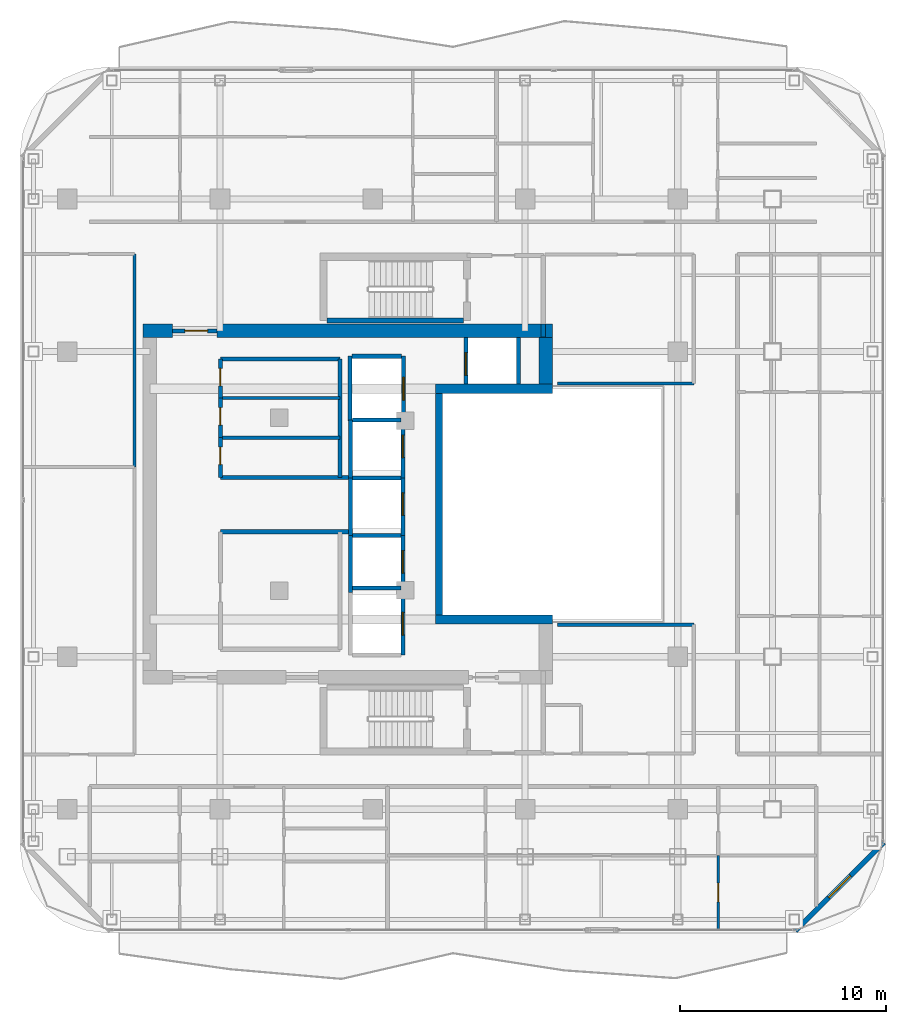
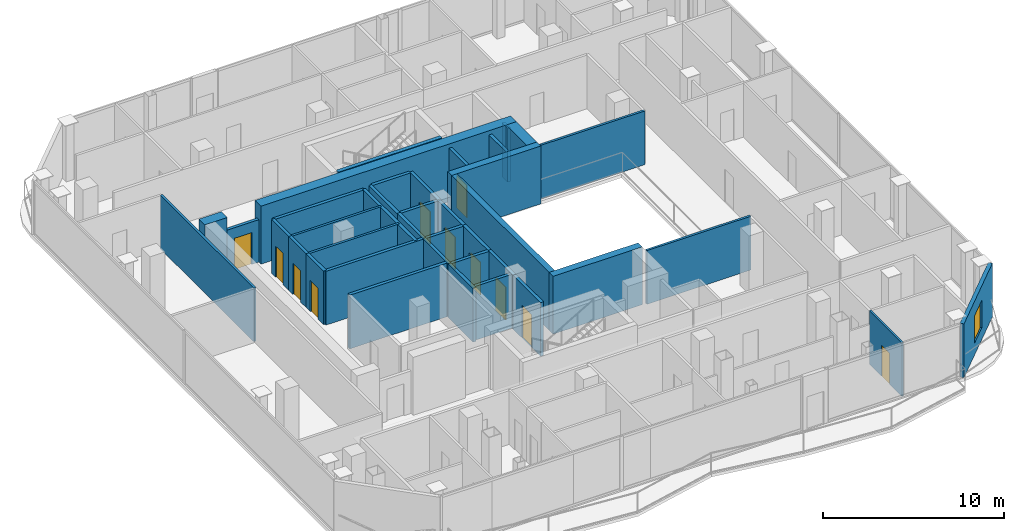
# One storey, part 17 of 22: 39 walls, 11 doors, 1 window, 12 openings.
"""IFC4 building model written with IfcOpenShell, lengths in metres."""

import ifcopenshell
import ifcopenshell.guid

model = None  # the IFC model being written
_history = None  # IfcOwnerHistory: only IFC2X3 demands one
_inside = {}  # id of a spatial element -> (the spatial element, [elements in it])
_under = {}  # id of a project, library or spatial element -> (it, [spatial elements below it])
_declared = {}  # id of a project -> (the project, [libraries it declares])
_typed = {}  # id of a type object -> (the type object, [elements of that type])
_made_of = {}  # id of a material, layer set ... -> (it, [elements and type objects made of it])


def new_model(schema):
    """Start an empty IFC model of exactly this schema.

    Asked for "IFC4X3", IfcOpenShell would pick the latest addendum, in which some entities
    have other attributes; the version numbers below select the first issue.
    IFC2X3 requires an IfcOwnerHistory on every rooted entity: one is made here for all.
    """
    global model, _history
    if schema == "IFC4X3":
        model = ifcopenshell.file(schema_version=(4, 3, 0, 0))
    else:
        model = ifcopenshell.file(schema=schema)
    _inside.clear()
    _under.clear()
    _declared.clear()
    _typed.clear()
    _made_of.clear()
    _history = None
    if model.schema == "IFC2X3":
        org = make("IfcOrganization", Name="unknown")
        user = make(
            "IfcPersonAndOrganization",
            ThePerson=make("IfcPerson", FamilyName="unknown"),
            TheOrganization=org,
        )
        app = make(
            "IfcApplication",
            ApplicationDeveloper=org,
            Version="unknown",
            ApplicationFullName="unknown",
            ApplicationIdentifier="unknown",
        )
        _history = make(
            "IfcOwnerHistory",
            OwningUser=user,
            OwningApplication=app,
            ChangeAction="ADDED",
            CreationDate=0,
        )
    return model


def make(cls, **values):
    """One entity of the class cls with the attributes given. An attribute that is None is left unset."""
    return model.create_entity(
        cls, **{name: value for name, value in values.items() if value is not None}
    )


def rooted(cls, **values):
    """An entity with a GlobalId (a new one), such as an element, a storey or a relation."""
    return make(cls, GlobalId=ifcopenshell.guid.new(), OwnerHistory=_history, **values)


def si_unit(unit_type, name, prefix=None):
    """IfcSIUnit, for example si_unit("LENGTHUNIT", "METRE", prefix="MILLI")."""
    return make("IfcSIUnit", UnitType=unit_type, Prefix=prefix, Name=name)


def assignment(units):
    """IfcUnitAssignment: the units of a project."""
    return None if units is None else make("IfcUnitAssignment", Units=units)


def point(xyz):
    """IfcCartesianPoint."""
    return None if xyz is None else make("IfcCartesianPoint", Coordinates=xyz)


def direction(xyz):
    """IfcDirection."""
    return None if xyz is None else make("IfcDirection", DirectionRatios=xyz)


def frame(location, z_axis=None, x_axis=None):
    """IfcAxis2Placement3D, a coordinate frame: its origin and axes. An axis left out is left unset."""
    return make(
        "IfcAxis2Placement3D",
        Location=point(location),
        Axis=direction(z_axis),
        RefDirection=direction(x_axis),
    )


def frame_2d(location, x_axis=None):
    """IfcAxis2Placement2D, a coordinate frame in the plane: its origin and x axis."""
    return make(
        "IfcAxis2Placement2D", Location=point(location), RefDirection=direction(x_axis)
    )


def origin():
    """The frame at (0, 0, 0) with its axes left unset."""
    return frame((0.0, 0.0, 0.0))


def place(relative_to, where):
    """IfcLocalPlacement: puts the frame where relative to a parent placement (None: the world)."""
    return make(
        "IfcLocalPlacement", PlacementRelTo=relative_to, RelativePlacement=where
    )


def context(
    kind, dimensions, precision=None, world=None, true_north=None, identifier=None
):
    """IfcGeometricRepresentationContext, for example the 3D "Model" context."""
    return make(
        "IfcGeometricRepresentationContext",
        ContextIdentifier=identifier,
        ContextType=kind,
        CoordinateSpaceDimension=dimensions,
        Precision=precision,
        WorldCoordinateSystem=world,
        TrueNorth=true_north,
    )


def subcontext(parent, identifier, kind, view, scale=None):
    """IfcGeometricRepresentationSubContext, for example "Body" below "Model"."""
    return make(
        "IfcGeometricRepresentationSubContext",
        ContextIdentifier=identifier,
        ContextType=kind,
        ParentContext=parent,
        TargetScale=scale,
        TargetView=view,
    )


def project(units=None, contexts=None):
    """IfcProject with its units and contexts."""
    return rooted(
        "IfcProject",
        Name="project",
        RepresentationContexts=contexts,
        UnitsInContext=assignment(units),
    )


def spatial(cls, under=None, at=None, **own):
    """A site, building, storey or space (cls), placed at a placement, below another one or the project."""
    s = rooted(cls, ObjectPlacement=at, **own)
    if under is not None:
        _under.setdefault(under.id(), (under, []))[1].append(s)
    return s


def profile(cls, at=None, kind="AREA", **sizes):
    """A parametric profile (cls). Its sizes go by their IFC names, for example OverallWidth=200.0."""
    return make(cls, ProfileType=kind, Position=at, **sizes)


def rectangle(**sizes):
    """IfcRectangleProfileDef."""
    return profile("IfcRectangleProfileDef", **sizes)


def extrude(swept, where, along, depth):
    """IfcExtrudedAreaSolid: the profile swept, set in the frame where, extruded along a direction by depth."""
    return make(
        "IfcExtrudedAreaSolid",
        SweptArea=swept,
        Position=where,
        ExtrudedDirection=direction(along),
        Depth=depth,
    )


def shape(context_of_items, identifier, shape_type, items):
    """IfcShapeRepresentation: the items that make up one representation, for example the "Body"."""
    return make(
        "IfcShapeRepresentation",
        ContextOfItems=context_of_items,
        RepresentationIdentifier=identifier,
        RepresentationType=shape_type,
        Items=items,
    )


def material(Name=None, Category=None):
    """IfcMaterial."""
    return make("IfcMaterial", Name=Name, Category=Category)


def layer(
    of_material, thickness, ventilated=None, Name=None, Category=None, Priority=None
):
    """IfcMaterialLayer: one layer of a wall or slab, of a material (None: an air gap)."""
    return make(
        "IfcMaterialLayer",
        Material=of_material,
        LayerThickness=thickness,
        IsVentilated=ventilated,
        Name=Name,
        Category=Category,
        Priority=Priority,
    )


def layer_set(layers, Name=None):
    """IfcMaterialLayerSet."""
    return make("IfcMaterialLayerSet", MaterialLayers=layers, LayerSetName=Name)


def made_of(thing, what):
    """Note that an element or type object is made of a material, layer set ...; save() writes the relation."""
    if what is not None:
        _made_of.setdefault(what.id(), (what, []))[1].append(thing)
    return thing


def type_object(cls, material=None, **own):
    """A type object (cls), such as IfcWallType, which elements share."""
    return made_of(rooted(cls, **own), material)


def element(
    cls,
    number,
    at=None,
    inside=None,
    cuts=None,
    type_object=None,
    material=None,
    context=None,
    identifier="Body",
    shape_type=None,
    held_by="IfcProductDefinitionShape",
    body=None,
    shapes=None,
    **own,
):
    """One element of the class cls, such as IfcWall. Its Tag is "e" and its number.

    at: its placement. inside: the storey or other place that contains it. cuts: it is an
    opening in that element (IfcRelVoidsElement). A single representation is given by context,
    identifier, shape_type and body (its items); several are given by shapes. held_by: the class
    of the entity that holds the representations. save() writes the other relations.
    """
    e = rooted(cls, Tag="e%d" % number, ObjectPlacement=at, **own)
    if body is not None:
        shapes = [shape(context, identifier, shape_type, body)]
    if shapes is not None:
        e.Representation = make(held_by, Representations=shapes)
    if inside is not None:
        _inside.setdefault(inside.id(), (inside, []))[1].append(e)
    if cuts is not None:
        rooted(
            "IfcRelVoidsElement", RelatingBuildingElement=cuts, RelatedOpeningElement=e
        )
    if type_object is not None:
        _typed.setdefault(type_object.id(), (type_object, []))[1].append(e)
    return made_of(e, material)


def fill(opening, filler):
    """IfcRelFillsElement: the door or window that sits in an opening."""
    return rooted(
        "IfcRelFillsElement",
        RelatingOpeningElement=opening,
        RelatedBuildingElement=filler,
    )


def aggregate(whole, parts):
    """IfcRelAggregates: a whole, such as a stair, and the parts it consists of."""
    return rooted("IfcRelAggregates", RelatingObject=whole, RelatedObjects=parts)


def save(model, path):
    """Write the relations noted so far, then the file.

    IfcRelAggregates (storeys below a building ...), IfcRelContainedInSpatialStructure (elements
    in a storey), IfcRelDefinesByType, IfcRelAssociatesMaterial and IfcRelDeclares: one each for
    every whole, place, type object, material and project.
    """
    for whole, parts in _under.values():
        aggregate(whole, parts)
    for where, things in _inside.values():
        rooted(
            "IfcRelContainedInSpatialStructure",
            RelatedElements=things,
            RelatingStructure=where,
        )
    for kind, things in _typed.values():
        rooted("IfcRelDefinesByType", RelatedObjects=things, RelatingType=kind)
    for what, things in _made_of.values():
        rooted("IfcRelAssociatesMaterial", RelatedObjects=things, RelatingMaterial=what)
    for by, libraries in _declared.values():
        rooted("IfcRelDeclares", RelatingContext=by, RelatedDefinitions=libraries)
    model.write(path)


model = new_model("IFC4")

# Units and contexts
model_context = context("Model", 3, precision=1e-05, world=origin(), true_north=direction((0.0, 1.0)))
body_context = subcontext(model_context, "Body", "Model", "MODEL_VIEW")
ifc_project = project(units=[si_unit("LENGTHUNIT", "METRE"), si_unit("AREAUNIT", "SQUARE_METRE"), si_unit("VOLUMEUNIT", "CUBIC_METRE"), si_unit("PLANEANGLEUNIT", "RADIAN"), si_unit("MASSUNIT", "GRAM", prefix="KILO")], contexts=[model_context])

# Site, building, storey
site_placement = place(None, origin())
site = spatial("IfcSite", under=ifc_project, at=site_placement, CompositionType="ELEMENT")
building_placement = place(site_placement, origin())
building = spatial("IfcBuilding", under=site, at=building_placement, Name="Khorvyn Point Tower", CompositionType="ELEMENT")
storey_placement = place(building_placement, frame((0.0, 0.0, 282.0)))
storey = spatial("IfcBuildingStorey", under=building, at=storey_placement, Name="L69", CompositionType="ELEMENT", Elevation=282.0)

# Wall, opening, window
ifc_material_1 = material(Name="Pale anodised aluminium rainscreen on steel stud", Category="steel")
ifc_layer_1 = layer(ifc_material_1, 0.239990234375)
ifc_layer_set_1 = layer_set([ifc_layer_1], Name="Anodised Aluminium Insulated Corner Spandrel Wall 240")
wall_type_1 = type_object("IfcWallType", Name="Anodised Aluminium Insulated Corner Spandrel Wall 240", PredefinedType="SOLIDWALL", material=ifc_layer_set_1)
wall_1_placement = place(storey_placement, frame((24.79248046875, -16.40771484375, 0.0), z_axis=(0.0, 0.0, 1.0), x_axis=(-0.707126925818, -0.707086635981, 0.0)))
wall_1 = element("IfcWall", 1, at=wall_1_placement, inside=storey, type_object=wall_type_1, Name="L69 Rounded Corner Wall SE", PredefinedType="SOLIDWALL", context=body_context, shape_type="SweptSolid", body=[
    extrude(rectangle(XDim=6.0595703125, YDim=0.239990234375, at=frame_2d((3.02978515625, 0.0))), origin(), (0.0, 0.0, 1.0), 3.6201171875),
])
opening_1_placement = place(wall_1_placement, frame((2.27978515625, 0.0, 0.800048828125)))
opening_1 = element("IfcOpeningElement", 2, at=opening_1_placement, cuts=wall_1, Name="Opening WN-1518", PredefinedType="OPENING", context=body_context, shape_type="SweptSolid", body=[
    extrude(rectangle(XDim=1.5, YDim=1.85009765625, at=frame_2d((0.75, 0.925048828125))), frame((0.0, 0.1298828125, 0.0), z_axis=(0.0, -1.0, 0.0), x_axis=(1.0, 0.0, 0.0)), (0.0, 0.0, 1.0), 0.260009765625),
])
ifc_material_2 = material(Name="Anodised aluminium 6063-T6 and laminated Low-E glass", Category="aluminium")
window_type = type_object("IfcWindowType", Name="Anodised Aluminium Rounded-Corner Panoramic Window 1500x1850", PartitioningType="SINGLE_PANEL", PredefinedType="WINDOW", material=ifc_material_2)
window_placement = place(opening_1_placement, origin())
window = element("IfcWindow", 3, at=window_placement, inside=storey, type_object=window_type, Name="L69 Corner Panoramic Window SE", OverallHeight=1.85009765625, OverallWidth=1.5, PartitioningType="SINGLE_PANEL", PredefinedType="WINDOW", context=body_context, shape_type="SweptSolid", body=[
    extrude(rectangle(XDim=1.5, YDim=1.85009765625, at=frame_2d((0.75, 0.925048828125))), frame((0.0, 0.030029296875, 0.0), z_axis=(0.0, -1.0, 0.0), x_axis=(1.0, 0.0, 0.0)), (0.0, 0.0, 1.0), 0.06005859375),
])
fill(opening_1, window)

# Walls
ifc_material_3 = material(Name="Concrete C40/50", Category="concrete")
ifc_layer_2 = layer(ifc_material_3, 0.449951171875)
ifc_layer_set_2 = layer_set([ifc_layer_2], Name="Concrete C40/50 Core Shear Wall 450")
wall_type_2 = type_object("IfcWallType", Name="Concrete C40/50 Core Shear Wall 450", PredefinedType="SHEAR", material=ifc_layer_set_2)
for number, where, z_axis, x_axis, name in (
    (4, (3.044921875, -5.60009765625, 0.0), (0.0, 0.0, 1.0), (1.0, 0.0, 0.0), "Wall"),
    (5, (3.044921875, 5.60009765625, 0.0), (0.0, 0.0, 1.0), (1.0, 0.0, 0.0), "Wall"),
):
    element("IfcWall", number, at=place(storey_placement, frame(where, z_axis=z_axis, x_axis=x_axis)), inside=storey, type_object=wall_type_2, Name=name, PredefinedType="SHEAR", context=body_context, shape_type="SweptSolid", body=[
        extrude(rectangle(XDim=5.68017578125, YDim=0.449951171875, at=frame_2d((2.840087890625, 0.0))), origin(), (0.0, 0.0, 1.0), 3.89990234375),
    ])
ifc_layer_3 = layer(ifc_material_3, 0.64990234375)
ifc_layer_set_3 = layer_set([ifc_layer_3], Name="Concrete C40/50 Core Shear Wall 650")
wall_type_3 = type_object("IfcWallType", Name="Concrete C40/50 Core Shear Wall 650", PredefinedType="SHEAR", material=ifc_layer_set_3)
wall_2_placement = place(storey_placement, frame((-11.125, 8.39990234375, 0.0), z_axis=(0.0, 0.0, 1.0), x_axis=(1.0, 0.0, 0.0)))
element("IfcWall", 6, at=wall_2_placement, inside=storey, type_object=wall_type_3, Name="Wall", PredefinedType="SHEAR", context=body_context, shape_type="SweptSolid", body=[
    extrude(rectangle(XDim=1.425048828125, YDim=0.64990234375, at=frame_2d((0.71240234375, 0.0))), origin(), (0.0, 0.0, 1.0), 3.89990234375),
])
wall_3_placement = place(storey_placement, frame((-7.550048828125, 8.39990234375, 0.0), z_axis=(0.0, 0.0, 1.0), x_axis=(1.0, 0.0, 0.0)))
element("IfcWall", 7, at=wall_3_placement, inside=storey, type_object=wall_type_3, Name="Wall", PredefinedType="SHEAR", context=body_context, shape_type="SweptSolid", body=[
    extrude(rectangle(XDim=16.275146484375, YDim=0.64990234375, at=frame_2d((8.1376953125, 0.0))), origin(), (0.0, 0.0, 1.0), 3.89990234375),
])
wall_4_placement = place(storey_placement, frame((8.39990234375, 5.824951171875, 0.0), z_axis=(0.0, 0.0, 1.0), x_axis=(0.0, 1.0, 0.0)))
element("IfcWall", 8, at=wall_4_placement, inside=storey, type_object=wall_type_3, Name="Wall", PredefinedType="SHEAR", context=body_context, shape_type="SweptSolid", body=[
    extrude(rectangle(XDim=2.25, YDim=0.64990234375, at=frame_2d((1.125, 0.0))), origin(), (0.0, 0.0, 1.0), 3.89990234375),
])

# Wall, opening, door
ifc_layer_4 = layer(ifc_material_3, 0.199951171875)
ifc_layer_set_4 = layer_set([ifc_layer_4], Name="Concrete C40/50 Fire-Lobby Compartment Wall 200")
wall_type_4 = type_object("IfcWallType", Name="Concrete C40/50 Fire-Lobby Compartment Wall 200", PredefinedType="SOLIDWALL", material=ifc_layer_set_4)
wall_5_placement = place(storey_placement, frame((-9.699951171875, 8.39990234375, 0.0), z_axis=(0.0, 0.0, 1.0), x_axis=(1.0, 0.0, 0.0)))
wall_5 = element("IfcWall", 9, at=wall_5_placement, inside=storey, type_object=wall_type_4, Name="Wall", PredefinedType="SOLIDWALL", context=body_context, shape_type="SweptSolid", body=[
    extrude(rectangle(XDim=2.14990234375, YDim=0.199951171875, at=frame_2d((1.074951171875, 0.0))), origin(), (0.0, 0.0, 1.0), 2.860107421875),
])
opening_2_placement = place(wall_5_placement, frame((0.597900390625, 0.0, 0.0)))
opening_2 = element("IfcOpeningElement", 10, at=opening_2_placement, cuts=wall_5, Name="Opening ID-FL90", PredefinedType="OPENING", context=body_context, shape_type="SweptSolid", body=[
    extrude(rectangle(XDim=1.10009765625, YDim=2.14990234375, at=frame_2d((0.550048828125, 1.074951171875))), frame((0.0, 0.10986328125, 0.0), z_axis=(0.0, -1.0, 0.0), x_axis=(1.0, 0.0, 0.0)), (0.0, 0.0, 1.0), 0.219970703125),
])
ifc_material_4 = material(Name="Galvanised powder-coated steel", Category="steel")
door_type_1 = type_object("IfcDoorType", Name="Fire-Rated Steel Lobby and Stair Door 1100x2150", OperationType="NOTDEFINED", PredefinedType="DOOR", material=ifc_material_4)
door_1_placement = place(opening_2_placement, origin())
door_1 = element("IfcDoor", 11, at=door_1_placement, inside=storey, type_object=door_type_1, Name="Door", OperationType="SINGLE_SWING_LEFT", OverallHeight=2.14990234375, OverallWidth=1.10009765625, PredefinedType="DOOR", context=body_context, shape_type="SweptSolid", body=[
    extrude(rectangle(XDim=1.10009765625, YDim=2.14990234375, at=frame_2d((0.550048828125, 1.074951171875))), frame((0.0, 0.02490234375, 0.0), z_axis=(0.0, -1.0, 0.0), x_axis=(1.0, 0.0, 0.0)), (0.0, 0.0, 1.0), 0.050048828125),
])
fill(opening_2, door_1)

wall_6_placement = place(storey_placement, frame((-7.3798828125, 1.300048828125, 0.0), z_axis=(0.0, 0.0, 1.0), x_axis=(0.0, 1.0, 0.0)))
wall_6 = element("IfcWall", 12, at=wall_6_placement, inside=storey, type_object=wall_type_4, Name="Wall", PredefinedType="SOLIDWALL", context=body_context, shape_type="SweptSolid", body=[
    extrude(rectangle(XDim=1.919921875, YDim=0.199951171875, at=frame_2d((0.9599609375, 0.0))), origin(), (0.0, 0.0, 1.0), 3.6201171875),
])
opening_3_placement = place(wall_6_placement, frame((0.610107421875, 0.0, 0.0)))
opening_3 = element("IfcOpeningElement", 13, at=opening_3_placement, cuts=wall_6, Name="Opening ID-WC85", PredefinedType="OPENING", context=body_context, shape_type="SweptSolid", body=[
    extrude(rectangle(XDim=0.85009765625, YDim=2.10009765625, at=frame_2d((0.425048828125, 1.050048828125))), frame((0.0, 0.10986328125, 0.0), z_axis=(0.0, -1.0, 0.0), x_axis=(1.0, 0.0, 0.0)), (0.0, 0.0, 1.0), 0.219970703125),
])
ifc_material_5 = material(Name="High-pressure laminate on moisture-resistant core", Category="wood")
door_type_2 = type_object("IfcDoorType", Name="Moisture-Resistant Accessible Washroom Door 850x2100", OperationType="NOTDEFINED", PredefinedType="DOOR", material=ifc_material_5)
door_2_placement = place(opening_3_placement, origin())
door_2 = element("IfcDoor", 14, at=door_2_placement, inside=storey, type_object=door_type_2, Name="Door", OperationType="SINGLE_SWING_LEFT", OverallHeight=2.10009765625, OverallWidth=0.85009765625, PredefinedType="DOOR", context=body_context, shape_type="SweptSolid", body=[
    extrude(rectangle(XDim=0.85009765625, YDim=2.10009765625, at=frame_2d((0.425048828125, 1.050048828125))), frame((0.0, 0.02490234375, 0.0), z_axis=(0.0, -1.0, 0.0), x_axis=(1.0, 0.0, 0.0)), (0.0, 0.0, 1.0), 0.050048828125),
])
fill(opening_3, door_2)

wall_7_placement = place(storey_placement, frame((-7.3798828125, 3.219970703125, 0.0), z_axis=(0.0, 0.0, 1.0), x_axis=(0.0, 1.0, 0.0)))
wall_7 = element("IfcWall", 15, at=wall_7_placement, inside=storey, type_object=wall_type_4, Name="Wall", PredefinedType="SOLIDWALL", context=body_context, shape_type="SweptSolid", body=[
    extrude(rectangle(XDim=1.919921875, YDim=0.199951171875, at=frame_2d((0.9599609375, 0.0))), origin(), (0.0, 0.0, 1.0), 3.6201171875),
])
opening_4_placement = place(wall_7_placement, frame((0.610107421875, 0.0, 0.0)))
opening_4 = element("IfcOpeningElement", 16, at=opening_4_placement, cuts=wall_7, Name="Opening ID-WC85", PredefinedType="OPENING", context=body_context, shape_type="SweptSolid", body=[
    extrude(rectangle(XDim=0.85009765625, YDim=2.10009765625, at=frame_2d((0.425048828125, 1.050048828125))), frame((0.0, 0.10986328125, 0.0), z_axis=(0.0, -1.0, 0.0), x_axis=(1.0, 0.0, 0.0)), (0.0, 0.0, 1.0), 0.219970703125),
])
door_3_placement = place(opening_4_placement, origin())
door_3 = element("IfcDoor", 17, at=door_3_placement, inside=storey, type_object=door_type_2, Name="Door", OperationType="SINGLE_SWING_RIGHT", OverallHeight=2.10009765625, OverallWidth=0.85009765625, PredefinedType="DOOR", context=body_context, shape_type="SweptSolid", body=[
    extrude(rectangle(XDim=0.85009765625, YDim=2.10009765625, at=frame_2d((0.425048828125, 1.050048828125))), frame((0.0, 0.02490234375, 0.0), z_axis=(0.0, -1.0, 0.0), x_axis=(1.0, 0.0, 0.0)), (0.0, 0.0, 1.0), 0.050048828125),
])
fill(opening_4, door_3)

wall_8_placement = place(storey_placement, frame((-7.3798828125, 5.139892578125, 0.0), z_axis=(0.0, 0.0, 1.0), x_axis=(0.0, 1.0, 0.0)))
wall_8 = element("IfcWall", 18, at=wall_8_placement, inside=storey, type_object=wall_type_4, Name="Wall", PredefinedType="SOLIDWALL", context=body_context, shape_type="SweptSolid", body=[
    extrude(rectangle(XDim=1.900146484375, YDim=0.199951171875, at=frame_2d((0.9501953125, 0.0))), origin(), (0.0, 0.0, 1.0), 3.6201171875),
])
opening_5_placement = place(wall_8_placement, frame((0.597900390625, 0.0, 0.0)))
opening_5 = element("IfcOpeningElement", 19, at=opening_5_placement, cuts=wall_8, Name="Opening ID-WC85", PredefinedType="OPENING", context=body_context, shape_type="SweptSolid", body=[
    extrude(rectangle(XDim=0.85009765625, YDim=2.10009765625, at=frame_2d((0.425048828125, 1.050048828125))), frame((0.0, 0.10986328125, 0.0), z_axis=(0.0, -1.0, 0.0), x_axis=(1.0, 0.0, 0.0)), (0.0, 0.0, 1.0), 0.219970703125),
])
door_4_placement = place(opening_5_placement, origin())
door_4 = element("IfcDoor", 20, at=door_4_placement, inside=storey, type_object=door_type_2, Name="Door", OperationType="SINGLE_SWING_LEFT", OverallHeight=2.10009765625, OverallWidth=0.85009765625, PredefinedType="DOOR", context=body_context, shape_type="SweptSolid", body=[
    extrude(rectangle(XDim=0.85009765625, YDim=2.10009765625, at=frame_2d((0.425048828125, 1.050048828125))), frame((0.0, 0.02490234375, 0.0), z_axis=(0.0, -1.0, 0.0), x_axis=(1.0, 0.0, 0.0)), (0.0, 0.0, 1.0), 0.050048828125),
])
fill(opening_5, door_4)

# Walls
for number, where, z_axis, x_axis, name in (
    (21, (-7.3798828125, -1.340087890625, 0.0), (0.0, 0.0, 1.0), (1.0, 0.0, 0.0), "Wall"),
    (22, (-7.3798828125, 1.300048828125, 0.0), (0.0, 0.0, 1.0), (1.0, 0.0, 0.0), "Wall"),
):
    element("IfcWall", number, at=place(storey_placement, frame(where, z_axis=z_axis, x_axis=x_axis)), inside=storey, type_object=wall_type_4, Name=name, PredefinedType="SOLIDWALL", context=body_context, shape_type="SweptSolid", body=[
        extrude(rectangle(XDim=6.239990234375, YDim=0.199951171875, at=frame_2d((3.1201171875, 0.0))), origin(), (0.0, 0.0, 1.0), 3.6201171875),
    ])
wall_9_placement = place(storey_placement, frame((-1.580078125, 1.300048828125, 0.0), z_axis=(0.0, 0.0, 1.0), x_axis=(0.0, 1.0, 0.0)))
element("IfcWall", 23, at=wall_9_placement, inside=storey, type_object=wall_type_4, Name="Wall", PredefinedType="SOLIDWALL", context=body_context, shape_type="SweptSolid", body=[
    extrude(rectangle(XDim=5.739990234375, YDim=0.199951171875, at=frame_2d((2.8701171875, 0.0))), origin(), (0.0, 0.0, 1.0), 3.6201171875),
])
wall_10_placement = place(storey_placement, frame((-7.3798828125, 7.0400390625, 0.0), z_axis=(0.0, 0.0, 1.0), x_axis=(1.0, 0.0, 0.0)))
element("IfcWall", 24, at=wall_10_placement, inside=storey, type_object=wall_type_4, Name="Wall", PredefinedType="SOLIDWALL", context=body_context, shape_type="SweptSolid", body=[
    extrude(rectangle(XDim=5.7998046875, YDim=0.199951171875, at=frame_2d((2.89990234375, 0.0))), origin(), (0.0, 0.0, 1.0), 3.6201171875),
])
wall_11_placement = place(storey_placement, frame((8.280029296875, 8.10009765625, 0.0), z_axis=(0.0, 0.0, 1.0), x_axis=(0.0, 1.0, 0.0)))
element("IfcWall", 25, at=wall_11_placement, inside=storey, type_object=wall_type_4, Name="Wall", PredefinedType="SOLIDWALL", context=body_context, shape_type="SweptSolid", body=[
    extrude(rectangle(XDim=0.625, YDim=0.199951171875, at=frame_2d((0.3125, 0.0))), origin(), (0.0, 0.0, 1.0), 3.6201171875),
])
ifc_layer_5 = layer(ifc_material_3, 0.25)
ifc_layer_set_5 = layer_set([ifc_layer_5], Name="Concrete C40/50 Stair Inner Cheek Structural Wall 250")
wall_type_5 = type_object("IfcWallType", Name="Concrete C40/50 Stair Inner Cheek Structural Wall 250", PredefinedType="SHEAR", material=ifc_layer_set_5)
wall_12_placement = place(storey_placement, frame((-2.199951171875, 8.89990234375, 0.0), z_axis=(0.0, 0.0, 1.0), x_axis=(1.0, 0.0, 0.0)))
element("IfcWall", 26, at=wall_12_placement, inside=storey, type_object=wall_type_5, Name="Wall", PredefinedType="SHEAR", context=body_context, shape_type="SweptSolid", body=[
    extrude(rectangle(XDim=6.599853515625, YDim=0.25, at=frame_2d((3.2998046875, 0.0))), origin(), (0.0, 0.0, 1.0), 3.89990234375),
])
ifc_layer_6 = layer(ifc_material_3, 0.35009765625)
ifc_layer_set_6 = layer_set([ifc_layer_6], Name="Concrete C40/50 Stair Shaft Structural Wall 350")
wall_type_6 = type_object("IfcWallType", Name="Concrete C40/50 Stair Shaft Structural Wall 350", PredefinedType="SHEAR", material=ifc_layer_set_6)
wall_13_placement = place(storey_placement, frame((3.219970703125, -5.375, 0.0), z_axis=(0.0, 0.0, 1.0), x_axis=(0.0, 1.0, 0.0)))
element("IfcWall", 27, at=wall_13_placement, inside=storey, type_object=wall_type_6, Name="Wall", PredefinedType="SHEAR", context=body_context, shape_type="SweptSolid", body=[
    extrude(rectangle(XDim=10.75, YDim=0.35009765625, at=frame_2d((5.375, 0.0))), origin(), (0.0, 0.0, 1.0), 3.89990234375),
])
ifc_layer_7 = layer(ifc_material_3, 0.199951171875)
ifc_layer_set_7 = layer_set([ifc_layer_7], Name="Concrete C40/50 Structural Hoistway and Stair Shaft Wall 200")
wall_type_7 = type_object("IfcWallType", Name="Concrete C40/50 Structural Hoistway and Stair Shaft Wall 200", PredefinedType="SHEAR", material=ifc_layer_set_7)
wall_14_placement = place(storey_placement, frame((-1.074951171875, -4.27490234375, 0.0), z_axis=(0.0, 0.0, 1.0), x_axis=(0.0, 1.0, 0.0)))
element("IfcWall", 28, at=wall_14_placement, inside=storey, type_object=wall_type_7, Name="Wall", PredefinedType="SHEAR", context=body_context, shape_type="SweptSolid", body=[
    extrude(rectangle(XDim=2.75, YDim=0.199951171875, at=frame_2d((1.375, 0.0))), origin(), (0.0, 0.0, 1.0), 3.6201171875),
])

# Wall, opening, door
wall_15_placement = place(storey_placement, frame((1.47509765625, -4.27490234375, 0.0), z_axis=(0.0, 0.0, 1.0), x_axis=(0.0, 1.0, 0.0)))
wall_15 = element("IfcWall", 29, at=wall_15_placement, inside=storey, type_object=wall_type_7, Name="Wall", PredefinedType="SHEAR", context=body_context, shape_type="SweptSolid", body=[
    extrude(rectangle(XDim=2.75, YDim=0.199951171875, at=frame_2d((1.375, 0.0))), origin(), (0.0, 0.0, 1.0), 3.6201171875),
])
opening_6_placement = place(wall_15_placement, frame((0.925048828125, 0.0, 0.0)))
opening_6 = element("IfcOpeningElement", 30, at=opening_6_placement, cuts=wall_15, Name="Opening LD-1122", PredefinedType="OPENING", context=body_context, shape_type="SweptSolid", body=[
    extrude(rectangle(XDim=1.10009765625, YDim=2.199951171875, at=frame_2d((0.550048828125, 1.10009765625))), frame((0.0, 0.10986328125, 0.0), z_axis=(0.0, -1.0, 0.0), x_axis=(1.0, 0.0, 0.0)), (0.0, 0.0, 1.0), 0.219970703125),
])
ifc_material_6 = material(Name="Stainless steel 1.4301", Category="steel")
door_type_3 = type_object("IfcDoorType", Name="Stainless Steel Automatic Sliding Lift Landing Door 1100x2200", OperationType="SLIDING_TO_LEFT", PredefinedType="DOOR", material=ifc_material_6)
door_5_placement = place(opening_6_placement, origin())
door_5 = element("IfcDoor", 31, at=door_5_placement, inside=storey, type_object=door_type_3, Name="L69 RH-01 Sliding Lift Landing Door", OperationType="SLIDING_TO_LEFT", OverallHeight=2.199951171875, OverallWidth=1.10009765625, PredefinedType="DOOR", context=body_context, shape_type="SweptSolid", body=[
    extrude(rectangle(XDim=1.10009765625, YDim=2.199951171875, at=frame_2d((0.550048828125, 1.10009765625))), frame((0.0, 0.02490234375, 0.0), z_axis=(0.0, -1.0, 0.0), x_axis=(1.0, 0.0, 0.0)), (0.0, 0.0, 1.0), 0.050048828125),
])
fill(opening_6, door_5)

# Walls
for number, where, z_axis, x_axis, name in (
    (32, (-0.97509765625, -4.074951171875, 0.0), (0.0, 0.0, 1.0), (1.0, 0.0, 0.0), "Wall"),
    (33, (-0.97509765625, -1.52490234375, 0.0), (0.0, 0.0, 1.0), (1.0, 0.0, 0.0), "Wall"),
):
    element("IfcWall", number, at=place(storey_placement, frame(where, z_axis=z_axis, x_axis=x_axis)), inside=storey, type_object=wall_type_7, Name=name, PredefinedType="SHEAR", context=body_context, shape_type="SweptSolid", body=[
        extrude(rectangle(XDim=2.35009765625, YDim=0.199951171875, at=frame_2d((1.175048828125, 0.0))), origin(), (0.0, 0.0, 1.0), 3.6201171875),
    ])
wall_16_placement = place(storey_placement, frame((-1.074951171875, -1.52490234375, 0.0), z_axis=(0.0, 0.0, 1.0), x_axis=(0.0, 1.0, 0.0)))
element("IfcWall", 34, at=wall_16_placement, inside=storey, type_object=wall_type_7, Name="Wall", PredefinedType="SHEAR", context=body_context, shape_type="SweptSolid", body=[
    extrude(rectangle(XDim=2.7998046875, YDim=0.199951171875, at=frame_2d((1.39990234375, 0.0))), origin(), (0.0, 0.0, 1.0), 3.6201171875),
])

# Wall, opening, door
wall_17_placement = place(storey_placement, frame((1.47509765625, -1.52490234375, 0.0), z_axis=(0.0, 0.0, 1.0), x_axis=(0.0, 1.0, 0.0)))
wall_17 = element("IfcWall", 35, at=wall_17_placement, inside=storey, type_object=wall_type_7, Name="Wall", PredefinedType="SHEAR", context=body_context, shape_type="SweptSolid", body=[
    extrude(rectangle(XDim=2.7998046875, YDim=0.199951171875, at=frame_2d((1.39990234375, 0.0))), origin(), (0.0, 0.0, 1.0), 3.6201171875),
])
opening_7_placement = place(wall_17_placement, frame((0.97509765625, 0.0, 0.0)))
opening_7 = element("IfcOpeningElement", 36, at=opening_7_placement, cuts=wall_17, Name="Opening LD-1122", PredefinedType="OPENING", context=body_context, shape_type="SweptSolid", body=[
    extrude(rectangle(XDim=1.10009765625, YDim=2.199951171875, at=frame_2d((0.550048828125, 1.10009765625))), frame((0.0, 0.10986328125, 0.0), z_axis=(0.0, -1.0, 0.0), x_axis=(1.0, 0.0, 0.0)), (0.0, 0.0, 1.0), 0.219970703125),
])
door_6_placement = place(opening_7_placement, origin())
door_6 = element("IfcDoor", 37, at=door_6_placement, inside=storey, type_object=door_type_3, Name="L69 RH-02 Sliding Lift Landing Door", OperationType="SLIDING_TO_LEFT", OverallHeight=2.199951171875, OverallWidth=1.10009765625, PredefinedType="DOOR", context=body_context, shape_type="SweptSolid", body=[
    extrude(rectangle(XDim=1.10009765625, YDim=2.199951171875, at=frame_2d((0.550048828125, 1.10009765625))), frame((0.0, 0.02490234375, 0.0), z_axis=(0.0, -1.0, 0.0), x_axis=(1.0, 0.0, 0.0)), (0.0, 0.0, 1.0), 0.050048828125),
])
fill(opening_7, door_6)

# Walls
wall_18_placement = place(storey_placement, frame((-0.97509765625, 1.27490234375, 0.0), z_axis=(0.0, 0.0, 1.0), x_axis=(1.0, 0.0, 0.0)))
element("IfcWall", 38, at=wall_18_placement, inside=storey, type_object=wall_type_7, Name="Wall", PredefinedType="SHEAR", context=body_context, shape_type="SweptSolid", body=[
    extrude(rectangle(XDim=2.35009765625, YDim=0.199951171875, at=frame_2d((1.175048828125, 0.0))), origin(), (0.0, 0.0, 1.0), 3.6201171875),
])
wall_19_placement = place(storey_placement, frame((-1.074951171875, 1.27490234375, 0.0), z_axis=(0.0, 0.0, 1.0), x_axis=(0.0, 1.0, 0.0)))
element("IfcWall", 39, at=wall_19_placement, inside=storey, type_object=wall_type_7, Name="Wall", PredefinedType="SHEAR", context=body_context, shape_type="SweptSolid", body=[
    extrude(rectangle(XDim=2.800048828125, YDim=0.199951171875, at=frame_2d((1.39990234375, 0.0))), origin(), (0.0, 0.0, 1.0), 3.6201171875),
])

# Wall, opening, door
wall_20_placement = place(storey_placement, frame((1.47509765625, 1.27490234375, 0.0), z_axis=(0.0, 0.0, 1.0), x_axis=(0.0, 1.0, 0.0)))
wall_20 = element("IfcWall", 40, at=wall_20_placement, inside=storey, type_object=wall_type_7, Name="Wall", PredefinedType="SHEAR", context=body_context, shape_type="SweptSolid", body=[
    extrude(rectangle(XDim=2.800048828125, YDim=0.199951171875, at=frame_2d((1.39990234375, 0.0))), origin(), (0.0, 0.0, 1.0), 3.6201171875),
])
opening_8_placement = place(wall_20_placement, frame((0.97509765625, 0.0, 0.0)))
opening_8 = element("IfcOpeningElement", 41, at=opening_8_placement, cuts=wall_20, Name="Opening LD-1122", PredefinedType="OPENING", context=body_context, shape_type="SweptSolid", body=[
    extrude(rectangle(XDim=1.10009765625, YDim=2.199951171875, at=frame_2d((0.550048828125, 1.10009765625))), frame((0.0, 0.10986328125, 0.0), z_axis=(0.0, -1.0, 0.0), x_axis=(1.0, 0.0, 0.0)), (0.0, 0.0, 1.0), 0.219970703125),
])
door_7_placement = place(opening_8_placement, origin())
door_7 = element("IfcDoor", 42, at=door_7_placement, inside=storey, type_object=door_type_3, Name="L69 RH-03 Sliding Lift Landing Door", OperationType="SLIDING_TO_LEFT", OverallHeight=2.199951171875, OverallWidth=1.10009765625, PredefinedType="DOOR", context=body_context, shape_type="SweptSolid", body=[
    extrude(rectangle(XDim=1.10009765625, YDim=2.199951171875, at=frame_2d((0.550048828125, 1.10009765625))), frame((0.0, 0.02490234375, 0.0), z_axis=(0.0, -1.0, 0.0), x_axis=(1.0, 0.0, 0.0)), (0.0, 0.0, 1.0), 0.050048828125),
])
fill(opening_8, door_7)

# Walls
wall_21_placement = place(storey_placement, frame((-0.97509765625, 4.074951171875, 0.0), z_axis=(0.0, 0.0, 1.0), x_axis=(1.0, 0.0, 0.0)))
element("IfcWall", 43, at=wall_21_placement, inside=storey, type_object=wall_type_7, Name="Wall", PredefinedType="SHEAR", context=body_context, shape_type="SweptSolid", body=[
    extrude(rectangle(XDim=2.35009765625, YDim=0.199951171875, at=frame_2d((1.175048828125, 0.0))), origin(), (0.0, 0.0, 1.0), 3.6201171875),
])
wall_22_placement = place(storey_placement, frame((-1.10009765625, 4.02490234375, 0.0), z_axis=(0.0, 0.0, 1.0), x_axis=(0.0, 1.0, 0.0)))
element("IfcWall", 44, at=wall_22_placement, inside=storey, type_object=wall_type_7, Name="Wall", PredefinedType="SHEAR", context=body_context, shape_type="SweptSolid", body=[
    extrude(rectangle(XDim=3.150146484375, YDim=0.199951171875, at=frame_2d((1.5751953125, 0.0))), origin(), (0.0, 0.0, 1.0), 3.6201171875),
])

# Wall, opening, door
wall_23_placement = place(storey_placement, frame((1.5, 4.02490234375, 0.0), z_axis=(0.0, 0.0, 1.0), x_axis=(0.0, 1.0, 0.0)))
wall_23 = element("IfcWall", 45, at=wall_23_placement, inside=storey, type_object=wall_type_7, Name="Wall", PredefinedType="SHEAR", context=body_context, shape_type="SweptSolid", body=[
    extrude(rectangle(XDim=3.150146484375, YDim=0.199951171875, at=frame_2d((1.5751953125, 0.0))), origin(), (0.0, 0.0, 1.0), 3.6201171875),
])
opening_9_placement = place(wall_23_placement, frame((1.02490234375, 0.0, 0.0)))
opening_9 = element("IfcOpeningElement", 46, at=opening_9_placement, cuts=wall_23, Name="Opening LD-1122", PredefinedType="OPENING", context=body_context, shape_type="SweptSolid", body=[
    extrude(rectangle(XDim=1.10009765625, YDim=2.199951171875, at=frame_2d((0.550048828125, 1.10009765625))), frame((0.0, 0.10986328125, 0.0), z_axis=(0.0, -1.0, 0.0), x_axis=(1.0, 0.0, 0.0)), (0.0, 0.0, 1.0), 0.219970703125),
])
door_8_placement = place(opening_9_placement, origin())
door_8 = element("IfcDoor", 47, at=door_8_placement, inside=storey, type_object=door_type_3, Name="L69 SV-01 Sliding Lift Landing Door", OperationType="SLIDING_TO_LEFT", OverallHeight=2.199951171875, OverallWidth=1.10009765625, PredefinedType="DOOR", context=body_context, shape_type="SweptSolid", body=[
    extrude(rectangle(XDim=1.10009765625, YDim=2.199951171875, at=frame_2d((0.550048828125, 1.10009765625))), frame((0.0, 0.02490234375, 0.0), z_axis=(0.0, -1.0, 0.0), x_axis=(1.0, 0.0, 0.0)), (0.0, 0.0, 1.0), 0.050048828125),
])
fill(opening_9, door_8)

# Wall
wall_24_placement = place(storey_placement, frame((-1.0, 7.175048828125, 0.0), z_axis=(0.0, 0.0, 1.0), x_axis=(1.0, 0.0, 0.0)))
element("IfcWall", 48, at=wall_24_placement, inside=storey, type_object=wall_type_7, Name="Wall", PredefinedType="SHEAR", context=body_context, shape_type="SweptSolid", body=[
    extrude(rectangle(XDim=2.39990234375, YDim=0.199951171875, at=frame_2d((1.199951171875, 0.0))), origin(), (0.0, 0.0, 1.0), 3.6201171875),
])

# Wall, opening, door
wall_25_placement = place(storey_placement, frame((1.47509765625, -7.324951171875, 0.0), z_axis=(0.0, 0.0, 1.0), x_axis=(0.0, 1.0, 0.0)))
wall_25 = element("IfcWall", 49, at=wall_25_placement, inside=storey, type_object=wall_type_7, Name="Wall", PredefinedType="SHEAR", context=body_context, shape_type="SweptSolid", body=[
    extrude(rectangle(XDim=3.050048828125, YDim=0.199951171875, at=frame_2d((1.52490234375, 0.0))), origin(), (0.0, 0.0, 1.0), 3.6201171875),
])
opening_10_placement = place(wall_25_placement, frame((0.97509765625, 0.0, 0.0)))
opening_10 = element("IfcOpeningElement", 50, at=opening_10_placement, cuts=wall_25, Name="Opening LD-1122", PredefinedType="OPENING", context=body_context, shape_type="SweptSolid", body=[
    extrude(rectangle(XDim=1.10009765625, YDim=2.199951171875, at=frame_2d((0.550048828125, 1.10009765625))), frame((0.0, 0.10986328125, 0.0), z_axis=(0.0, -1.0, 0.0), x_axis=(1.0, 0.0, 0.0)), (0.0, 0.0, 1.0), 0.219970703125),
])
door_9_placement = place(opening_10_placement, origin())
door_9 = element("IfcDoor", 51, at=door_9_placement, inside=storey, type_object=door_type_3, Name="L69 FF-01 Sliding Lift Landing Door", OperationType="SLIDING_TO_LEFT", OverallHeight=2.199951171875, OverallWidth=1.10009765625, PredefinedType="DOOR", context=body_context, shape_type="SweptSolid", body=[
    extrude(rectangle(XDim=1.10009765625, YDim=2.199951171875, at=frame_2d((0.550048828125, 1.10009765625))), frame((0.0, 0.02490234375, 0.0), z_axis=(0.0, -1.0, 0.0), x_axis=(1.0, 0.0, 0.0)), (0.0, 0.0, 1.0), 0.050048828125),
])
fill(opening_10, door_9)

wall_26_placement = place(storey_placement, frame((4.52490234375, 5.824951171875, 0.0), z_axis=(0.0, 0.0, 1.0), x_axis=(0.0, 1.0, 0.0)))
wall_26 = element("IfcWall", 52, at=wall_26_placement, inside=storey, type_object=wall_type_7, Name="Wall", PredefinedType="SHEAR", context=body_context, shape_type="SweptSolid", body=[
    extrude(rectangle(XDim=2.25, YDim=0.199951171875, at=frame_2d((1.125, 0.0))), origin(), (0.0, 0.0, 1.0), 3.6201171875),
])
opening_11_placement = place(wall_26_placement, frame((0.425048828125, 0.0, 0.0)))
opening_11 = element("IfcOpeningElement", 53, at=opening_11_placement, cuts=wall_26, Name="Opening LD-1122", PredefinedType="OPENING", context=body_context, shape_type="SweptSolid", body=[
    extrude(rectangle(XDim=1.10009765625, YDim=2.199951171875, at=frame_2d((0.550048828125, 1.10009765625))), frame((0.0, 0.10986328125, 0.0), z_axis=(0.0, -1.0, 0.0), x_axis=(1.0, 0.0, 0.0)), (0.0, 0.0, 1.0), 0.219970703125),
])
door_10_placement = place(opening_11_placement, origin())
door_10 = element("IfcDoor", 54, at=door_10_placement, inside=storey, type_object=door_type_3, Name="L69 FF-02 Sliding Lift Landing Door", OperationType="SLIDING_TO_LEFT", OverallHeight=2.199951171875, OverallWidth=1.10009765625, PredefinedType="DOOR", context=body_context, shape_type="SweptSolid", body=[
    extrude(rectangle(XDim=1.10009765625, YDim=2.199951171875, at=frame_2d((0.550048828125, 1.10009765625))), frame((0.0, 0.02490234375, 0.0), z_axis=(0.0, -1.0, 0.0), x_axis=(1.0, 0.0, 0.0)), (0.0, 0.0, 1.0), 0.050048828125),
])
fill(opening_11, door_10)

# Wall
wall_27_placement = place(storey_placement, frame((7.074951171875, 5.824951171875, 0.0), z_axis=(0.0, 0.0, 1.0), x_axis=(0.0, 1.0, 0.0)))
element("IfcWall", 55, at=wall_27_placement, inside=storey, type_object=wall_type_7, Name="Wall", PredefinedType="SHEAR", context=body_context, shape_type="SweptSolid", body=[
    extrude(rectangle(XDim=2.25, YDim=0.199951171875, at=frame_2d((1.125, 0.0))), origin(), (0.0, 0.0, 1.0), 3.6201171875),
])

# Wall, opening, door
ifc_material_7 = material(Name="Gypsum plasterboard on steel stud", Category="steel")
ifc_layer_8 = layer(ifc_material_7, 0.1201171875)
ifc_layer_set_8 = layer_set([ifc_layer_8], Name="Gypsum Acoustic Stud Room Partition Wall 120")
wall_type_8 = type_object("IfcWallType", Name="Gypsum Acoustic Stud Room Partition Wall 120", PredefinedType="PARTITIONING", material=ifc_layer_set_8)
wall_28_placement = place(storey_placement, frame((16.76806640625, -20.6298828125, 0.0), z_axis=(0.0, 0.0, 1.0), x_axis=(0.0, 1.0, 0.0)))
wall_28 = element("IfcWall", 56, at=wall_28_placement, inside=storey, type_object=wall_type_8, Name="Wall", PredefinedType="PARTITIONING", context=body_context, shape_type="SweptSolid", body=[
    extrude(rectangle(XDim=3.5849609375, YDim=0.1201171875, at=frame_2d((1.79248046875, 0.0))), origin(), (0.0, 0.0, 1.0), 3.6201171875),
])
opening_12_placement = place(wall_28_placement, frame((1.342529296875, 0.0, 0.0)))
opening_12 = element("IfcOpeningElement", 57, at=opening_12_placement, cuts=wall_28, Name="Opening ID-RM90", PredefinedType="OPENING", context=body_context, shape_type="SweptSolid", body=[
    extrude(rectangle(XDim=0.89990234375, YDim=2.10009765625, at=frame_2d((0.449951171875, 1.050048828125))), frame((0.0, 0.070068359375, 0.0), z_axis=(0.0, -1.0, 0.0), x_axis=(1.0, 0.0, 0.0)), (0.0, 0.0, 1.0), 0.14013671875),
])
ifc_material_8 = material(Name="Engineered oak veneer timber", Category="wood")
door_type_4 = type_object("IfcDoorType", Name="Flush Engineered Timber Room Door 900x2100", OperationType="NOTDEFINED", PredefinedType="DOOR", material=ifc_material_8)
door_11_placement = place(opening_12_placement, origin())
door_11 = element("IfcDoor", 58, at=door_11_placement, inside=storey, type_object=door_type_4, Name="Door", OperationType="SINGLE_SWING_LEFT", OverallHeight=2.10009765625, OverallWidth=0.89990234375, PredefinedType="DOOR", context=body_context, shape_type="SweptSolid", body=[
    extrude(rectangle(XDim=0.89990234375, YDim=2.10009765625, at=frame_2d((0.449951171875, 1.050048828125))), frame((0.0, 0.02490234375, 0.0), z_axis=(0.0, -1.0, 0.0), x_axis=(1.0, 0.0, 0.0)), (0.0, 0.0, 1.0), 0.050048828125),
])
fill(opening_12, door_11)

# Walls
ifc_material_9 = material(Name="Moisture-resistant gypsum and cement board", Category="gypsum")
ifc_layer_9 = layer(ifc_material_9, 0.14990234375)
ifc_layer_set_9 = layer_set([ifc_layer_9], Name="Moisture-Resistant Wet-Room Partition Wall 150")
wall_type_9 = type_object("IfcWallType", Name="Moisture-Resistant Wet-Room Partition Wall 150", PredefinedType="PARTITIONING", material=ifc_layer_set_9)
for number, where, z_axis, x_axis, name in (
    (59, (-7.3798828125, 3.219970703125, 0.0), (0.0, 0.0, 1.0), (1.0, 0.0, 0.0), "Wall"),
    (60, (-7.3798828125, 5.139892578125, 0.0), (0.0, 0.0, 1.0), (1.0, 0.0, 0.0), "Wall"),
):
    element("IfcWall", number, at=place(storey_placement, frame(where, z_axis=z_axis, x_axis=x_axis)), inside=storey, type_object=wall_type_9, Name=name, PredefinedType="PARTITIONING", context=body_context, shape_type="SweptSolid", body=[
        extrude(rectangle(XDim=5.7998046875, YDim=0.14990234375, at=frame_2d((2.89990234375, 0.0))), origin(), (0.0, 0.0, 1.0), 3.6201171875),
    ])
for number, where, z_axis, x_axis, name in (
    (61, (8.9599609375, -5.85009765625, 0.0), (0.0, 0.0, 1.0), (1.0, 0.0, 0.0), "Wall"),
    (62, (8.9599609375, 5.85009765625, 0.0), (0.0, 0.0, 1.0), (1.0, 0.0, 0.0), "Wall"),
):
    element("IfcWall", number, at=place(storey_placement, frame(where, z_axis=z_axis, x_axis=x_axis)), inside=storey, type_object=wall_type_9, Name=name, PredefinedType="PARTITIONING", context=body_context, shape_type="SweptSolid", body=[
        extrude(rectangle(XDim=6.6201171875, YDim=0.14990234375, at=frame_2d((3.31005859375, 0.0))), origin(), (0.0, 0.0, 1.0), 3.6201171875),
    ])
wall_29_placement = place(storey_placement, frame((-11.550048828125, 1.800048828125, 0.0), z_axis=(0.0, 0.0, 1.0), x_axis=(0.0, 1.0, 0.0)))
element("IfcWall", 63, at=wall_29_placement, inside=storey, type_object=wall_type_9, Name="Wall", PredefinedType="PARTITIONING", context=body_context, shape_type="SweptSolid", body=[
    extrude(rectangle(XDim=10.33984375, YDim=0.14990234375, at=frame_2d((5.169921875, 0.0))), origin(), (0.0, 0.0, 1.0), 3.6201171875),
])

save(model, "model.ifc")
